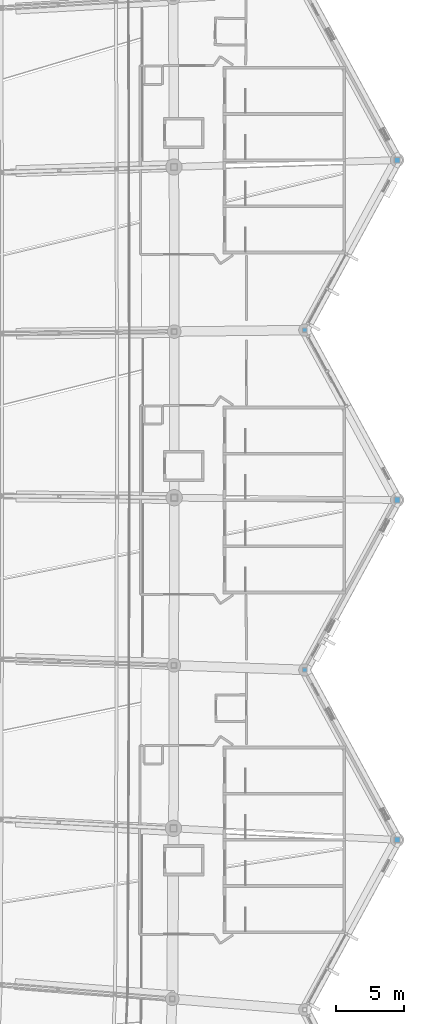
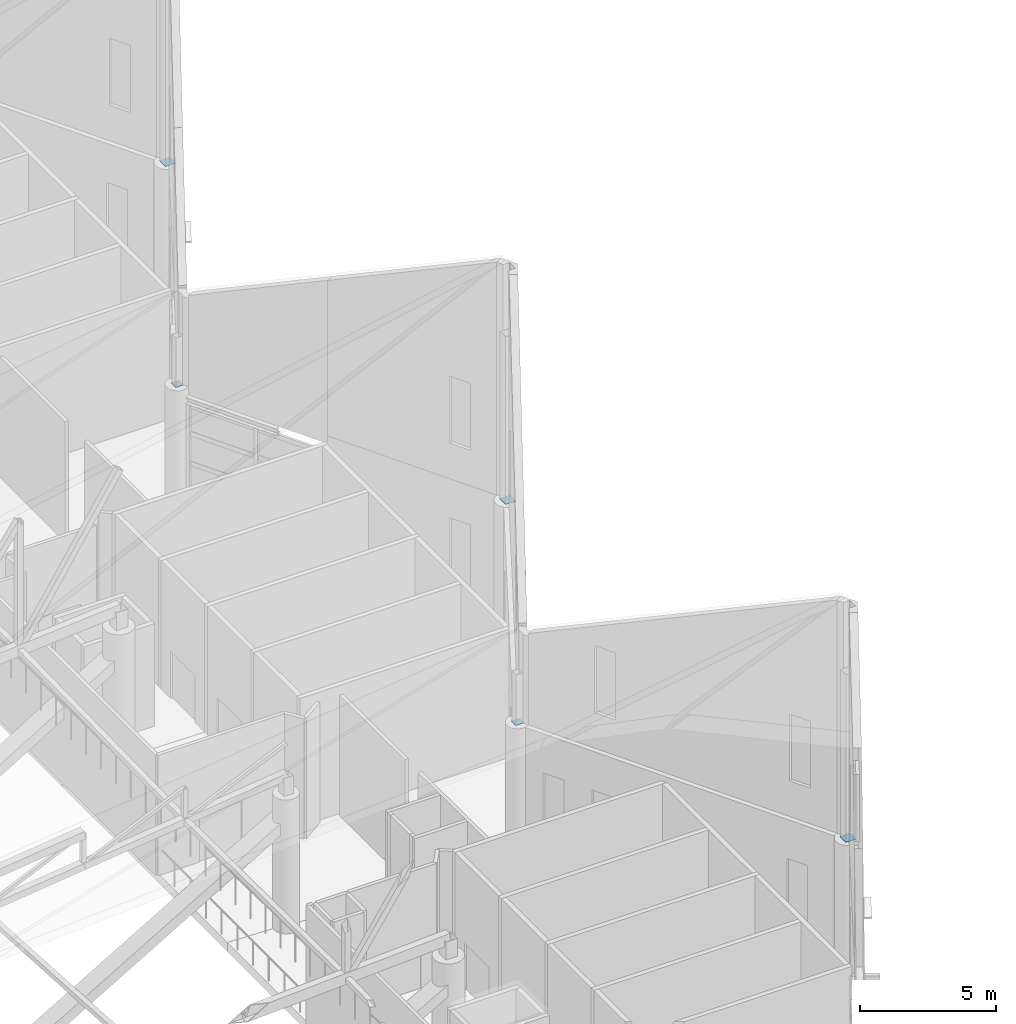
# One storey, part 308 of 344: 5 discrete accessories.
"""IFC4 building model written with IfcOpenShell, lengths in metres."""

from ifc_helpers import new_model, si_unit, direction, frame, origin, origin_2d, place, context, subcontext, project, spatial, rectangle, extrude, material, material_profile, profile_set, type_object, element, save


model = new_model("IFC4")

# Units and contexts
model_context = context("Model", 3, precision=1e-05, world=origin(), true_north=direction((0.0, 1.0)))
body_context = subcontext(model_context, "Body", "Model", "MODEL_VIEW")
ifc_project = project(units=[si_unit("LENGTHUNIT", "METRE"), si_unit("AREAUNIT", "SQUARE_METRE"), si_unit("VOLUMEUNIT", "CUBIC_METRE"), si_unit("PLANEANGLEUNIT", "RADIAN"), si_unit("MASSUNIT", "GRAM", prefix="KILO")], contexts=[model_context])

# Site, building, storey
site_placement = place(None, origin())
site = spatial("IfcSite", under=ifc_project, at=site_placement, CompositionType="ELEMENT")
building_placement = place(site_placement, origin())
building = spatial("IfcBuilding", under=site, at=building_placement, Name="Meseta Stadium", CompositionType="ELEMENT")
storey_placement = place(building_placement, frame((0.0, 0.0, 24.0)))
storey = spatial("IfcBuildingStorey", under=building, at=storey_placement, Name="L04", CompositionType="ELEMENT", Elevation=24.0)

# Discrete accessories
ifc_material_1 = material(Name="Steel S355", Category="steel")
ifc_material_profile_1 = material_profile(ifc_material_1, rectangle(XDim=0.340087890625, YDim=0.340087890625, at=origin_2d()), Name="PL 340x340")
ifc_profile_set_1 = profile_set([ifc_material_profile_1], Name="Steel S355")
discrete_accessory_type_1 = type_object("IfcDiscreteAccessoryType", Name="End plate 340x340x20", PredefinedType="ANCHORPLATE", material=ifc_profile_set_1)
for number, where, z_axis, x_axis, name in (
    (1, (94.60009765625, -18.75, 5.97998046875), (0.0, 0.0, 1.0), (1.0, 0.0, 0.0), "End plate of ROOF RIM POST RT-03"),
    (2, (94.60009765625, 6.25, 5.97998046875), (0.0, 0.0, 1.0), (1.0, 0.0, 0.0), "End plate of ROOF RIM POST RT-05"),
):
    element("IfcDiscreteAccessory", number, at=place(storey_placement, frame(where, z_axis=z_axis, x_axis=x_axis)), inside=storey, type_object=discrete_accessory_type_1, Name=name, PredefinedType="ANCHORPLATE", context=body_context, shape_type="SweptSolid", body=[
        extrude(rectangle(XDim=0.340087890625, YDim=0.340087890625, at=origin_2d()), origin(), (0.0, 0.0, 1.0), 0.02001953125),
    ])
ifc_material_2 = material(Name="Steel S355", Category="steel")
ifc_material_profile_2 = material_profile(ifc_material_2, rectangle(XDim=0.43994140625, YDim=0.43994140625, at=origin_2d()), Name="PL 440x440")
ifc_profile_set_2 = profile_set([ifc_material_profile_2], Name="Steel S355")
discrete_accessory_type_2 = type_object("IfcDiscreteAccessoryType", Name="End plate 440x440x20", PredefinedType="ANCHORPLATE", material=ifc_profile_set_2)
for number, where, z_axis, x_axis, name in (
    (3, (101.39990234375, -31.25, 5.97998046875), (0.0, 0.0, 1.0), (1.0, 0.0, 0.0), "End plate of ROOF RIM POST RT-02"),
    (4, (101.39990234375, -6.25, 5.97998046875), (0.0, 0.0, 1.0), (1.0, 0.0, 0.0), "End plate of ROOF RIM POST RT-04"),
    (5, (101.39990234375, 18.75, 5.97998046875), (0.0, 0.0, 1.0), (1.0, 0.0, 0.0), "End plate of ROOF RIM POST RT-06"),
):
    element("IfcDiscreteAccessory", number, at=place(storey_placement, frame(where, z_axis=z_axis, x_axis=x_axis)), inside=storey, type_object=discrete_accessory_type_2, Name=name, PredefinedType="ANCHORPLATE", context=body_context, shape_type="SweptSolid", body=[
        extrude(rectangle(XDim=0.43994140625, YDim=0.43994140625, at=origin_2d()), origin(), (0.0, 0.0, 1.0), 0.02001953125),
    ])

save(model, "model.ifc")
